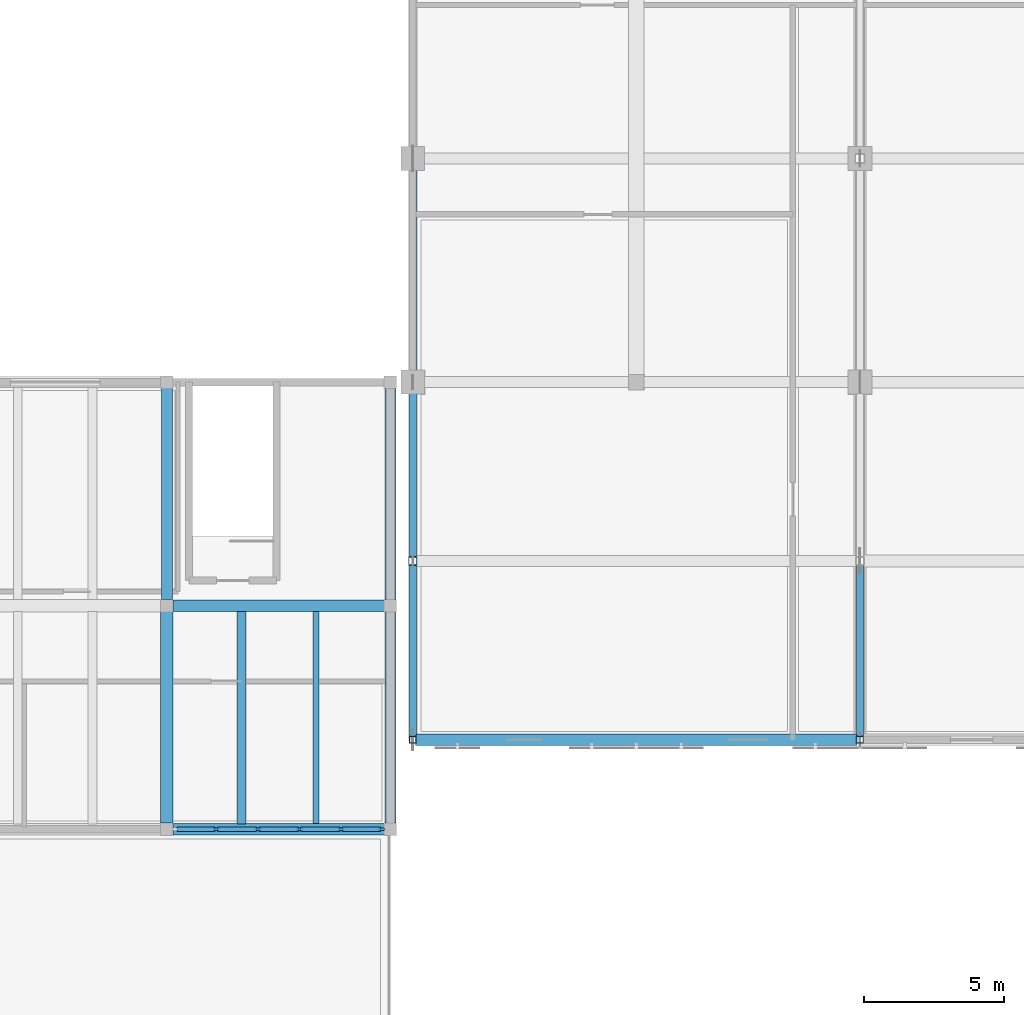
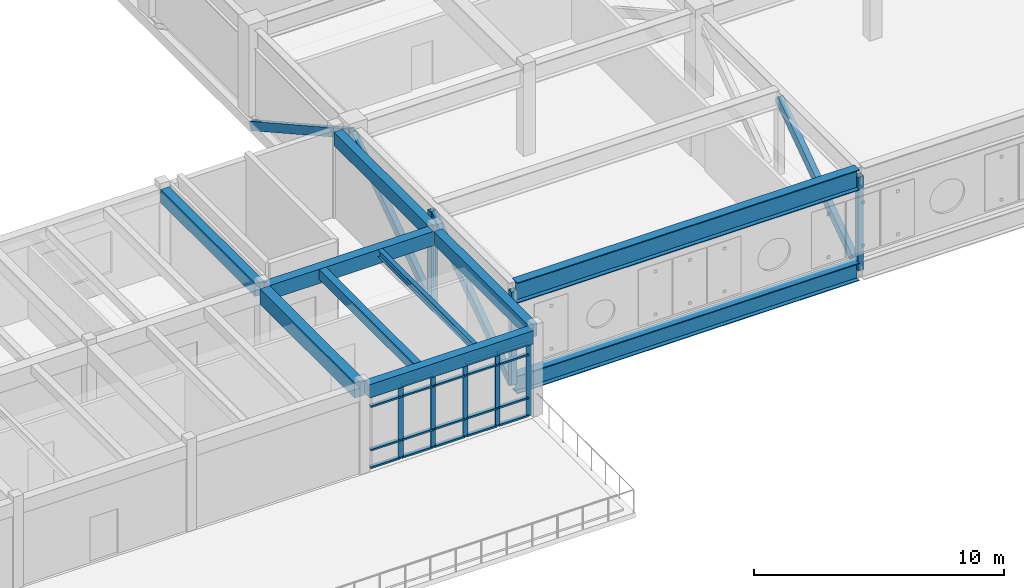
# One storey, part 5 of 79: 32 members, 10 beams, 1 element without a shape of its own.
"""IFC4 building model written with IfcOpenShell, lengths in metres."""

from ifc_helpers import new_model, si_unit, direction, frame, origin, origin_2d, place, context, subcontext, project, spatial, rectangle, hollow_rectangle, i_section, extrude, material, material_profile, profile_set, type_object, element, aggregate, save


model = new_model("IFC4")

# Units and contexts
model_context = context("Model", 3, precision=1e-05, world=origin(), true_north=direction((0.0, 1.0)))
body_context = subcontext(model_context, "Body", "Model", "MODEL_VIEW")
ifc_project = project(units=[si_unit("LENGTHUNIT", "METRE"), si_unit("AREAUNIT", "SQUARE_METRE"), si_unit("VOLUMEUNIT", "CUBIC_METRE"), si_unit("PLANEANGLEUNIT", "RADIAN"), si_unit("MASSUNIT", "GRAM", prefix="KILO")], contexts=[model_context])

# Site, building, storey
site_placement = place(None, origin())
site = spatial("IfcSite", under=ifc_project, at=site_placement, CompositionType="ELEMENT")
building_placement = place(site_placement, origin())
building = spatial("IfcBuilding", under=site, at=building_placement, Name="Tlaxcora Railside Police Headquarters", CompositionType="ELEMENT")
storey_placement = place(building_placement, frame((0.0, 0.0, 9.0)))
storey = spatial("IfcBuildingStorey", under=building, at=storey_placement, Name="L02", CompositionType="ELEMENT", Elevation=9.0)

# Curtain wall, members
ifc_material_1 = material(Name="Thermally broken low-E insulated glazing", Category="glass")
curtain_wall_type = type_object("IfcCurtainWallType", Name="Unitised Curtain Wall Assembly CW-23", PredefinedType="NOTDEFINED", material=ifc_material_1)
curtain_wall_placement = place(storey_placement, origin())
curtain_wall = element("IfcCurtainWall", 1, at=curtain_wall_placement, inside=storey, type_object=curtain_wall_type, Name="V4 L02 curtain wall 28", PredefinedType="NOTDEFINED")
ifc_material_2 = material(Name="Anodised aluminium framing", Category="aluminium")
ifc_material_profile_1 = material_profile(ifc_material_2, rectangle(XDim=0.080078125, YDim=0.219970703125, at=origin_2d()), Name="AL80X220")
ifc_profile_set_1 = profile_set([ifc_material_profile_1], Name="Anodised aluminium framing")
member_type_1 = type_object("IfcMemberType", Name="Curtain Wall Mullion CW-31", PredefinedType="MULLION", material=ifc_profile_set_1)
member_1_placement = place(storey_placement, frame((38.965087890625, 20.0, 0.0), z_axis=(0.0, 0.0, 1.0), x_axis=(0.0, 1.0, 0.0)))
member_1 = element("IfcMember", 2, at=member_1_placement, type_object=member_type_1, Name="CW mullion 2", PredefinedType="MULLION", context=body_context, shape_type="SweptSolid", body=[
    extrude(rectangle(XDim=0.080078125, YDim=0.219970703125, at=origin_2d()), origin(), (0.0, 0.0, 1.0), 3.550048828125),
])
member_2_placement = place(storey_placement, frame((40.455078125, 20.0, 0.0), z_axis=(0.0, 0.0, 1.0), x_axis=(0.0, 1.0, 0.0)))
member_2 = element("IfcMember", 3, at=member_2_placement, type_object=member_type_1, Name="CW mullion 3", PredefinedType="MULLION", context=body_context, shape_type="SweptSolid", body=[
    extrude(rectangle(XDim=0.080078125, YDim=0.219970703125, at=origin_2d()), origin(), (0.0, 0.0, 1.0), 3.550048828125),
])
member_3_placement = place(storey_placement, frame((41.945068359375, 20.0, 0.0), z_axis=(0.0, 0.0, 1.0), x_axis=(0.0, 1.0, 0.0)))
member_3 = element("IfcMember", 4, at=member_3_placement, type_object=member_type_1, Name="CW mullion 4", PredefinedType="MULLION", context=body_context, shape_type="SweptSolid", body=[
    extrude(rectangle(XDim=0.080078125, YDim=0.219970703125, at=origin_2d()), origin(), (0.0, 0.0, 1.0), 3.550048828125),
])
member_4_placement = place(storey_placement, frame((43.43505859375, 20.0, 0.0), z_axis=(0.0, 0.0, 1.0), x_axis=(0.0, 1.0, 0.0)))
member_4 = element("IfcMember", 5, at=member_4_placement, type_object=member_type_1, Name="CW mullion 5", PredefinedType="MULLION", context=body_context, shape_type="SweptSolid", body=[
    extrude(rectangle(XDim=0.080078125, YDim=0.219970703125, at=origin_2d()), origin(), (0.0, 0.0, 1.0), 3.550048828125),
])
member_5_placement = place(storey_placement, frame((44.885009765625, 20.0, 0.0), z_axis=(0.0, 0.0, 1.0), x_axis=(0.0, 1.0, 0.0)))
member_5 = element("IfcMember", 6, at=member_5_placement, type_object=member_type_1, Name="CW mullion 6", PredefinedType="MULLION", context=body_context, shape_type="SweptSolid", body=[
    extrude(rectangle(XDim=0.080078125, YDim=0.219970703125, at=origin_2d()), origin(), (0.0, 0.0, 1.0), 3.550048828125),
])
ifc_material_profile_2 = material_profile(ifc_material_2, rectangle(XDim=0.1650390625, YDim=0.080078125, at=origin_2d()), Name="AL80X165")
ifc_profile_set_2 = profile_set([ifc_material_profile_2], Name="Anodised aluminium framing")
member_type_2 = type_object("IfcMemberType", Name="Curtain Wall Transom CW-62", PredefinedType="USERDEFINED", material=ifc_profile_set_2)
member_6_placement = place(storey_placement, frame((37.554931640625, 20.0, 0.0400390625), z_axis=(1.0, 0.0, 0.0), x_axis=(0.0, 1.0, 0.0)))
member_6 = element("IfcMember", 7, at=member_6_placement, type_object=member_type_2, Name="CW transom 1.1", ObjectType="TRANSOM", PredefinedType="USERDEFINED", context=body_context, shape_type="SweptSolid", body=[
    extrude(rectangle(XDim=0.1650390625, YDim=0.080078125, at=origin_2d()), origin(), (0.0, 0.0, 1.0), 1.3701171875),
])
member_7_placement = place(storey_placement, frame((37.554931640625, 20.0, 0.89990234375), z_axis=(1.0, 0.0, 0.0), x_axis=(0.0, 1.0, 0.0)))
member_7 = element("IfcMember", 8, at=member_7_placement, type_object=member_type_2, Name="CW transom 1.2", ObjectType="TRANSOM", PredefinedType="USERDEFINED", context=body_context, shape_type="SweptSolid", body=[
    extrude(rectangle(XDim=0.1650390625, YDim=0.080078125, at=origin_2d()), origin(), (0.0, 0.0, 1.0), 1.3701171875),
])
member_8_placement = place(storey_placement, frame((37.554931640625, 20.0, 3.02001953125), z_axis=(1.0, 0.0, 0.0), x_axis=(0.0, 1.0, 0.0)))
member_8 = element("IfcMember", 9, at=member_8_placement, type_object=member_type_2, Name="CW transom 1.3", ObjectType="TRANSOM", PredefinedType="USERDEFINED", context=body_context, shape_type="SweptSolid", body=[
    extrude(rectangle(XDim=0.1650390625, YDim=0.080078125, at=origin_2d()), origin(), (0.0, 0.0, 1.0), 1.3701171875),
])
member_9_placement = place(storey_placement, frame((37.554931640625, 20.0, 3.510009765625), z_axis=(1.0, 0.0, 0.0), x_axis=(0.0, 1.0, 0.0)))
member_9 = element("IfcMember", 10, at=member_9_placement, type_object=member_type_2, Name="CW transom 1.4", ObjectType="TRANSOM", PredefinedType="USERDEFINED", context=body_context, shape_type="SweptSolid", body=[
    extrude(rectangle(XDim=0.1650390625, YDim=0.080078125, at=origin_2d()), origin(), (0.0, 0.0, 1.0), 1.3701171875),
])
member_10_placement = place(storey_placement, frame((39.0048828125, 20.0, 0.0400390625), z_axis=(1.0, 0.0, 0.0), x_axis=(0.0, 1.0, 0.0)))
member_10 = element("IfcMember", 11, at=member_10_placement, type_object=member_type_2, Name="CW transom 2.1", ObjectType="TRANSOM", PredefinedType="USERDEFINED", context=body_context, shape_type="SweptSolid", body=[
    extrude(rectangle(XDim=0.1650390625, YDim=0.080078125, at=origin_2d()), origin(), (0.0, 0.0, 1.0), 1.41015625),
])
member_11_placement = place(storey_placement, frame((39.0048828125, 20.0, 0.89990234375), z_axis=(1.0, 0.0, 0.0), x_axis=(0.0, 1.0, 0.0)))
member_11 = element("IfcMember", 12, at=member_11_placement, type_object=member_type_2, Name="CW transom 2.2", ObjectType="TRANSOM", PredefinedType="USERDEFINED", context=body_context, shape_type="SweptSolid", body=[
    extrude(rectangle(XDim=0.1650390625, YDim=0.080078125, at=origin_2d()), origin(), (0.0, 0.0, 1.0), 1.41015625),
])
member_12_placement = place(storey_placement, frame((39.0048828125, 20.0, 3.02001953125), z_axis=(1.0, 0.0, 0.0), x_axis=(0.0, 1.0, 0.0)))
member_12 = element("IfcMember", 13, at=member_12_placement, type_object=member_type_2, Name="CW transom 2.3", ObjectType="TRANSOM", PredefinedType="USERDEFINED", context=body_context, shape_type="SweptSolid", body=[
    extrude(rectangle(XDim=0.1650390625, YDim=0.080078125, at=origin_2d()), origin(), (0.0, 0.0, 1.0), 1.41015625),
])
member_13_placement = place(storey_placement, frame((39.0048828125, 20.0, 3.510009765625), z_axis=(1.0, 0.0, 0.0), x_axis=(0.0, 1.0, 0.0)))
member_13 = element("IfcMember", 14, at=member_13_placement, type_object=member_type_2, Name="CW transom 2.4", ObjectType="TRANSOM", PredefinedType="USERDEFINED", context=body_context, shape_type="SweptSolid", body=[
    extrude(rectangle(XDim=0.1650390625, YDim=0.080078125, at=origin_2d()), origin(), (0.0, 0.0, 1.0), 1.41015625),
])
member_14_placement = place(storey_placement, frame((40.4951171875, 20.0, 0.0400390625), z_axis=(1.0, 0.0, 0.0), x_axis=(0.0, 1.0, 0.0)))
member_14 = element("IfcMember", 15, at=member_14_placement, type_object=member_type_2, Name="CW transom 3.1", ObjectType="TRANSOM", PredefinedType="USERDEFINED", context=body_context, shape_type="SweptSolid", body=[
    extrude(rectangle(XDim=0.1650390625, YDim=0.080078125, at=origin_2d()), origin(), (0.0, 0.0, 1.0), 1.409912109375),
])
member_15_placement = place(storey_placement, frame((40.4951171875, 20.0, 0.89990234375), z_axis=(1.0, 0.0, 0.0), x_axis=(0.0, 1.0, 0.0)))
member_15 = element("IfcMember", 16, at=member_15_placement, type_object=member_type_2, Name="CW transom 3.2", ObjectType="TRANSOM", PredefinedType="USERDEFINED", context=body_context, shape_type="SweptSolid", body=[
    extrude(rectangle(XDim=0.1650390625, YDim=0.080078125, at=origin_2d()), origin(), (0.0, 0.0, 1.0), 1.409912109375),
])
member_16_placement = place(storey_placement, frame((40.4951171875, 20.0, 3.02001953125), z_axis=(1.0, 0.0, 0.0), x_axis=(0.0, 1.0, 0.0)))
member_16 = element("IfcMember", 17, at=member_16_placement, type_object=member_type_2, Name="CW transom 3.3", ObjectType="TRANSOM", PredefinedType="USERDEFINED", context=body_context, shape_type="SweptSolid", body=[
    extrude(rectangle(XDim=0.1650390625, YDim=0.080078125, at=origin_2d()), origin(), (0.0, 0.0, 1.0), 1.409912109375),
])
member_17_placement = place(storey_placement, frame((40.4951171875, 20.0, 3.510009765625), z_axis=(1.0, 0.0, 0.0), x_axis=(0.0, 1.0, 0.0)))
member_17 = element("IfcMember", 18, at=member_17_placement, type_object=member_type_2, Name="CW transom 3.4", ObjectType="TRANSOM", PredefinedType="USERDEFINED", context=body_context, shape_type="SweptSolid", body=[
    extrude(rectangle(XDim=0.1650390625, YDim=0.080078125, at=origin_2d()), origin(), (0.0, 0.0, 1.0), 1.409912109375),
])
member_18_placement = place(storey_placement, frame((41.985107421875, 20.0, 0.0400390625), z_axis=(1.0, 0.0, 0.0), x_axis=(0.0, 1.0, 0.0)))
member_18 = element("IfcMember", 19, at=member_18_placement, type_object=member_type_2, Name="CW transom 4.1", ObjectType="TRANSOM", PredefinedType="USERDEFINED", context=body_context, shape_type="SweptSolid", body=[
    extrude(rectangle(XDim=0.1650390625, YDim=0.080078125, at=origin_2d()), origin(), (0.0, 0.0, 1.0), 1.409912109375),
])
member_19_placement = place(storey_placement, frame((41.985107421875, 20.0, 0.89990234375), z_axis=(1.0, 0.0, 0.0), x_axis=(0.0, 1.0, 0.0)))
member_19 = element("IfcMember", 20, at=member_19_placement, type_object=member_type_2, Name="CW transom 4.2", ObjectType="TRANSOM", PredefinedType="USERDEFINED", context=body_context, shape_type="SweptSolid", body=[
    extrude(rectangle(XDim=0.1650390625, YDim=0.080078125, at=origin_2d()), origin(), (0.0, 0.0, 1.0), 1.409912109375),
])
member_20_placement = place(storey_placement, frame((41.985107421875, 20.0, 3.02001953125), z_axis=(1.0, 0.0, 0.0), x_axis=(0.0, 1.0, 0.0)))
member_20 = element("IfcMember", 21, at=member_20_placement, type_object=member_type_2, Name="CW transom 4.3", ObjectType="TRANSOM", PredefinedType="USERDEFINED", context=body_context, shape_type="SweptSolid", body=[
    extrude(rectangle(XDim=0.1650390625, YDim=0.080078125, at=origin_2d()), origin(), (0.0, 0.0, 1.0), 1.409912109375),
])
member_21_placement = place(storey_placement, frame((41.985107421875, 20.0, 3.510009765625), z_axis=(1.0, 0.0, 0.0), x_axis=(0.0, 1.0, 0.0)))
member_21 = element("IfcMember", 22, at=member_21_placement, type_object=member_type_2, Name="CW transom 4.4", ObjectType="TRANSOM", PredefinedType="USERDEFINED", context=body_context, shape_type="SweptSolid", body=[
    extrude(rectangle(XDim=0.1650390625, YDim=0.080078125, at=origin_2d()), origin(), (0.0, 0.0, 1.0), 1.409912109375),
])
member_22_placement = place(storey_placement, frame((43.47509765625, 20.0, 0.0400390625), z_axis=(1.0, 0.0, 0.0), x_axis=(0.0, 1.0, 0.0)))
member_22 = element("IfcMember", 23, at=member_22_placement, type_object=member_type_2, Name="CW transom 5.1", ObjectType="TRANSOM", PredefinedType="USERDEFINED", context=body_context, shape_type="SweptSolid", body=[
    extrude(rectangle(XDim=0.1650390625, YDim=0.080078125, at=origin_2d()), origin(), (0.0, 0.0, 1.0), 1.369873046875),
])
member_23_placement = place(storey_placement, frame((43.47509765625, 20.0, 0.89990234375), z_axis=(1.0, 0.0, 0.0), x_axis=(0.0, 1.0, 0.0)))
member_23 = element("IfcMember", 24, at=member_23_placement, type_object=member_type_2, Name="CW transom 5.2", ObjectType="TRANSOM", PredefinedType="USERDEFINED", context=body_context, shape_type="SweptSolid", body=[
    extrude(rectangle(XDim=0.1650390625, YDim=0.080078125, at=origin_2d()), origin(), (0.0, 0.0, 1.0), 1.369873046875),
])
member_24_placement = place(storey_placement, frame((43.47509765625, 20.0, 3.02001953125), z_axis=(1.0, 0.0, 0.0), x_axis=(0.0, 1.0, 0.0)))
member_24 = element("IfcMember", 25, at=member_24_placement, type_object=member_type_2, Name="CW transom 5.3", ObjectType="TRANSOM", PredefinedType="USERDEFINED", context=body_context, shape_type="SweptSolid", body=[
    extrude(rectangle(XDim=0.1650390625, YDim=0.080078125, at=origin_2d()), origin(), (0.0, 0.0, 1.0), 1.369873046875),
])
member_25_placement = place(storey_placement, frame((43.47509765625, 20.0, 3.510009765625), z_axis=(1.0, 0.0, 0.0), x_axis=(0.0, 1.0, 0.0)))
member_25 = element("IfcMember", 26, at=member_25_placement, type_object=member_type_2, Name="CW transom 5.4", ObjectType="TRANSOM", PredefinedType="USERDEFINED", context=body_context, shape_type="SweptSolid", body=[
    extrude(rectangle(XDim=0.1650390625, YDim=0.080078125, at=origin_2d()), origin(), (0.0, 0.0, 1.0), 1.369873046875),
])
aggregate(curtain_wall, [member_1, member_2, member_3, member_4, member_5, member_6, member_7, member_8, member_9, member_10, member_11, member_12, member_13, member_14, member_15, member_16, member_17, member_18, member_19, member_20, member_21, member_22, member_23, member_24, member_25])

# Members
ifc_material_3 = material(Name="Steel ASTM A992 Grade 50", Category="steel")
ifc_material_profile_3 = material_profile(ifc_material_3, hollow_rectangle(XDim=0.25, YDim=0.39990234375, WallThickness=0.011962890625, at=origin_2d()), Name="HSS400X250X12")
ifc_profile_set_3 = profile_set([ifc_material_profile_3], Name="Steel ASTM A992 Grade 50")
member_type_3 = type_object("IfcMemberType", Name="Diagonal Brace Member MB-40", PredefinedType="BRACE", material=ifc_profile_set_3)
member_26_placement = place(storey_placement, frame((46.0, 44.0, -0.77001953125), z_axis=(0.0, -0.872972176335, 0.487770006607), x_axis=(1.0, 0.0, 0.0)))
element("IfcMember", 27, at=member_26_placement, inside=storey, type_object=member_type_3, Name="Truss TR-1 L02 web diagonal 3", PredefinedType="BRACE", context=body_context, shape_type="SweptSolid", body=[
    extrude(hollow_rectangle(XDim=0.25, YDim=0.39990234375, WallThickness=0.011962890625, at=origin_2d()), origin(), (0.0, 0.0, 1.0), 9.1640625),
])
member_27_placement = place(storey_placement, frame((46.0, 36.0, 3.699951171875), z_axis=(0.0, -0.819830936688, -0.572605654224), x_axis=(1.0, 0.0, 0.0)))
element("IfcMember", 28, at=member_27_placement, inside=storey, type_object=member_type_3, Name="Truss TR-1 L02 web diagonal 4", PredefinedType="BRACE", context=body_context, shape_type="SweptSolid", body=[
    extrude(hollow_rectangle(XDim=0.25, YDim=0.39990234375, WallThickness=0.011962890625, at=origin_2d()), origin(), (0.0, 0.0, 1.0), 7.806396484375),
])
for number, where, z_axis, x_axis, name in (
    (29, (46.0, 29.60009765625, 3.699951171875), (0.0, -0.819841190505, -0.572590972991), (1.0, 0.0, 0.0), "Truss TR-1 L02 web diagonal 5"),
    (30, (62.0, 29.60009765625, 3.699951171875), (0.0, -0.819841190505, -0.572590972991), (1.0, 0.0, 0.0), "Truss TR-2 L02 web diagonal 5"),
):
    element("IfcMember", number, at=place(storey_placement, frame(where, z_axis=z_axis, x_axis=x_axis)), inside=storey, type_object=member_type_3, Name=name, PredefinedType="BRACE", context=body_context, shape_type="SweptSolid", body=[
        extrude(hollow_rectangle(XDim=0.25, YDim=0.39990234375, WallThickness=0.011962890625, at=origin_2d()), origin(), (0.0, 0.0, 1.0), 7.806640625),
    ])

# Beams
ifc_material_4 = material(Name="Concrete C40/50", Category="concrete")
ifc_material_profile_4 = material_profile(ifc_material_4, rectangle(XDim=0.39990234375, YDim=0.64990234375, at=origin_2d()), Name="RC400X650")
ifc_profile_set_4 = profile_set([ifc_material_profile_4], Name="Concrete C40/50")
beam_type_1 = type_object("IfcBeamType", Name="Perimeter Spandrel Beam BM-46", PredefinedType="SPANDREL", material=ifc_profile_set_4)
beam_1_placement = place(storey_placement, frame((37.4150390625, 20.0, 3.89501953125), z_axis=(1.0, 0.0, 0.0), x_axis=(0.0, 1.0, 0.0)))
element("IfcBeam", 31, at=beam_1_placement, inside=storey, type_object=beam_type_1, Name="V4 L02 X-girder Y=20.0", PredefinedType="SPANDREL", context=body_context, shape_type="SweptSolid", body=[
    extrude(rectangle(XDim=0.39990234375, YDim=0.64990234375, at=origin_2d()), origin(), (0.0, 0.0, 1.0), 7.570068359375),
])
for number, where, z_axis, x_axis, name in (
    (32, (45.199951171875, 20.215087890625, 3.89501953125), (0.0, 1.0, 0.0), (-1.0, 0.0, 0.0), "V4 L02 Y-girder X=45.2"),
    (33, (45.199951171875, 28.215087890625, 3.89501953125), (0.0, 1.0, 0.0), (-1.0, 0.0, 0.0), "V4 L02 Y-girder X=45.2"),
):
    element("IfcBeam", number, at=place(storey_placement, frame(where, z_axis=z_axis, x_axis=x_axis)), inside=storey, type_object=beam_type_1, Name=name, PredefinedType="SPANDREL", context=body_context, shape_type="SweptSolid", body=[
        extrude(rectangle(XDim=0.39990234375, YDim=0.64990234375, at=origin_2d()), origin(), (0.0, 0.0, 1.0), 7.56982421875),
    ])
ifc_material_profile_5 = material_profile(ifc_material_4, rectangle(XDim=0.419921875, YDim=0.699951171875, at=origin_2d()), Name="RC420X700")
ifc_profile_set_5 = profile_set([ifc_material_profile_5], Name="Concrete C40/50")
beam_type_2 = type_object("IfcBeamType", Name="Primary Frame Girder BM-35", PredefinedType="BEAM", material=ifc_profile_set_5)
beam_2_placement = place(storey_placement, frame((37.4150390625, 28.0, 3.8701171875), z_axis=(1.0, 0.0, 0.0), x_axis=(0.0, 1.0, 0.0)))
element("IfcBeam", 34, at=beam_2_placement, inside=storey, type_object=beam_type_2, Name="V4 L02 X-girder Y=28.0", PredefinedType="BEAM", context=body_context, shape_type="SweptSolid", body=[
    extrude(rectangle(XDim=0.419921875, YDim=0.699951171875, at=origin_2d()), origin(), (0.0, 0.0, 1.0), 7.570068359375),
])
ifc_material_profile_6 = material_profile(ifc_material_4, rectangle(XDim=0.39990234375, YDim=0.64990234375, at=origin_2d()), Name="RC400X650")
ifc_profile_set_6 = profile_set([ifc_material_profile_6], Name="Concrete C40/50")
beam_type_3 = type_object("IfcBeamType", Name="Primary Frame Girder BM-41", PredefinedType="BEAM", material=ifc_profile_set_6)
beam_3_placement = place(storey_placement, frame((37.199951171875, 28.215087890625, 3.89501953125), z_axis=(0.0, 1.0, 0.0), x_axis=(-1.0, 0.0, 0.0)))
element("IfcBeam", 35, at=beam_3_placement, inside=storey, type_object=beam_type_3, Name="V4 L02 Y-girder X=37.2", PredefinedType="BEAM", context=body_context, shape_type="SweptSolid", body=[
    extrude(rectangle(XDim=0.39990234375, YDim=0.64990234375, at=origin_2d()), origin(), (0.0, 0.0, 1.0), 7.56982421875),
])
ifc_material_profile_7 = material_profile(ifc_material_3, i_section(OverallWidth=0.403076171875, OverallDepth=0.868896484375, WebThickness=0.02099609375, FlangeThickness=0.03564453125, at=origin_2d()), Name="W33X241")
ifc_profile_set_7 = profile_set([ifc_material_profile_7], Name="Steel ASTM A992 Grade 50")
beam_type_4 = type_object("IfcBeamType", Name="Primary Frame Girder BM-45", PredefinedType="BEAM", material=ifc_profile_set_7)
beam_4_placement = place(storey_placement, frame((46.10009765625, 23.199951171875, -0.77001953125), z_axis=(1.0, 0.0, 0.0), x_axis=(0.0, 1.0, 0.0)))
element("IfcBeam", 36, at=beam_4_placement, inside=storey, type_object=beam_type_4, Name="V2 L02 cantilever transverse girder Y=23.2", PredefinedType="BEAM", context=body_context, shape_type="SweptSolid", body=[
    extrude(i_section(OverallWidth=0.403076171875, OverallDepth=0.868896484375, WebThickness=0.02099609375, FlangeThickness=0.03564453125, at=origin_2d()), origin(), (0.0, 0.0, 1.0), 15.7998046875),
])
ifc_material_profile_8 = material_profile(ifc_material_3, i_section(OverallWidth=0.402099609375, OverallDepth=1.008056640625, WebThickness=0.02099609375, FlangeThickness=0.0400390625, at=origin_2d()), Name="W40X277")
ifc_profile_set_8 = profile_set([ifc_material_profile_8], Name="Steel ASTM A992 Grade 50")
beam_type_5 = type_object("IfcBeamType", Name="Primary Frame Girder BM-59", PredefinedType="BEAM", material=ifc_profile_set_8)
beam_5_placement = place(storey_placement, frame((46.10009765625, 23.199951171875, 3.716064453125), z_axis=(1.0, 0.0, 0.0), x_axis=(0.0, 1.0, 0.0)))
element("IfcBeam", 37, at=beam_5_placement, inside=storey, type_object=beam_type_5, Name="V2 L03 transverse girder Y=23.2", PredefinedType="BEAM", context=body_context, shape_type="SweptSolid", body=[
    extrude(i_section(OverallWidth=0.402099609375, OverallDepth=1.008056640625, WebThickness=0.02099609375, FlangeThickness=0.0400390625, at=origin_2d()), origin(), (0.0, 0.0, 1.0), 15.7998046875),
])
ifc_material_profile_9 = material_profile(ifc_material_4, rectangle(XDim=0.449951171875, YDim=0.75, at=origin_2d()), Name="RC450X750")
ifc_profile_set_9 = profile_set([ifc_material_profile_9], Name="Concrete C40/50")
beam_type_6 = type_object("IfcBeamType", Name="Primary Frame Girder BM-73", PredefinedType="BEAM", material=ifc_profile_set_9)
beam_6_placement = place(storey_placement, frame((37.199951171875, 20.215087890625, 3.844970703125), z_axis=(0.0, 1.0, 0.0), x_axis=(-1.0, 0.0, 0.0)))
element("IfcBeam", 38, at=beam_6_placement, inside=storey, type_object=beam_type_6, Name="V4 L02 Y-girder X=37.2", PredefinedType="BEAM", context=body_context, shape_type="SweptSolid", body=[
    extrude(rectangle(XDim=0.449951171875, YDim=0.75, at=origin_2d()), origin(), (0.0, 0.0, 1.0), 7.56982421875),
])
ifc_material_profile_10 = material_profile(ifc_material_3, i_section(OverallWidth=0.2041015625, OverallDepth=0.35009765625, WebThickness=0.008544921875, FlangeThickness=0.01513671875, at=origin_2d()), Name="W14X48")
ifc_profile_set_10 = profile_set([ifc_material_profile_10], Name="Steel ASTM A992 Grade 50")
beam_type_7 = type_object("IfcBeamType", Name="Secondary Floor Joist BM-65", PredefinedType="JOIST", material=ifc_profile_set_10)
beam_7_placement = place(storey_placement, frame((42.533203125, 20.19189453125, 4.044921875), z_axis=(0.0, 1.0, 0.0), x_axis=(-1.0, 0.0, 0.0)))
element("IfcBeam", 39, at=beam_7_placement, inside=storey, type_object=beam_type_7, Name="V4 L02 floor joist X=42.53", PredefinedType="JOIST", context=body_context, shape_type="SweptSolid", body=[
    extrude(i_section(OverallWidth=0.2041015625, OverallDepth=0.35009765625, WebThickness=0.008544921875, FlangeThickness=0.01513671875, at=origin_2d()), origin(), (0.0, 0.0, 1.0), 7.606201171875),
])
ifc_material_5 = material(Name="Concrete C35/45", Category="concrete")
ifc_material_profile_11 = material_profile(ifc_material_5, rectangle(XDim=0.320068359375, YDim=0.5, at=origin_2d()), Name="RC320X500")
ifc_profile_set_11 = profile_set([ifc_material_profile_11], Name="Concrete C35/45")
beam_type_8 = type_object("IfcBeamType", Name="Secondary Floor Joist BM-88", PredefinedType="JOIST", material=ifc_profile_set_11)
beam_8_placement = place(storey_placement, frame((39.86669921875, 20.19189453125, 3.969970703125), z_axis=(0.0, 1.0, 0.0), x_axis=(-1.0, 0.0, 0.0)))
element("IfcBeam", 40, at=beam_8_placement, inside=storey, type_object=beam_type_8, Name="V4 L02 floor joist X=39.87", PredefinedType="JOIST", context=body_context, shape_type="SweptSolid", body=[
    extrude(rectangle(XDim=0.320068359375, YDim=0.5, at=origin_2d()), origin(), (0.0, 0.0, 1.0), 7.606201171875),
])

# Members
ifc_material_profile_12 = material_profile(ifc_material_3, hollow_rectangle(XDim=0.25, YDim=0.25, WallThickness=0.011962890625, at=origin_2d()), Name="HSS250X250X12")
ifc_profile_set_12 = profile_set([ifc_material_profile_12], Name="Steel ASTM A992 Grade 50")
member_type_4 = type_object("IfcMemberType", Name="Truss Vertical Post MB-22", PredefinedType="POST", material=ifc_profile_set_12)
for number, where, z_axis, x_axis, name in (
    (41, (46.0, 23.199951171875, -0.77001953125), (0.0, 0.0, 1.0), (1.0, 0.0, 0.0), "Truss TR-1 L02 post Y=23.2"),
    (42, (62.0, 23.199951171875, -0.77001953125), (0.0, 0.0, 1.0), (1.0, 0.0, 0.0), "Truss TR-2 L02 post Y=23.2"),
):
    element("IfcMember", number, at=place(storey_placement, frame(where, z_axis=z_axis, x_axis=x_axis)), inside=storey, type_object=member_type_4, Name=name, PredefinedType="POST", context=body_context, shape_type="SweptSolid", body=[
        extrude(hollow_rectangle(XDim=0.25, YDim=0.25, WallThickness=0.011962890625, at=origin_2d()), origin(), (0.0, 0.0, 1.0), 4.570068359375),
    ])
ifc_material_profile_13 = material_profile(ifc_material_3, hollow_rectangle(XDim=0.300048828125, YDim=0.300048828125, WallThickness=0.011962890625, at=origin_2d()), Name="HSS300X300X12")
ifc_profile_set_13 = profile_set([ifc_material_profile_13], Name="Steel ASTM A992 Grade 50")
member_type_5 = type_object("IfcMemberType", Name="Truss Vertical Post MB-44", PredefinedType="POST", material=ifc_profile_set_13)
member_28_placement = place(storey_placement, frame((46.0, 29.60009765625, -0.77001953125), z_axis=(0.0, 0.0, 1.0), x_axis=(1.0, 0.0, 0.0)))
element("IfcMember", 43, at=member_28_placement, inside=storey, type_object=member_type_5, Name="Truss TR-1 L02 post Y=29.6", PredefinedType="POST", context=body_context, shape_type="SweptSolid", body=[
    extrude(hollow_rectangle(XDim=0.300048828125, YDim=0.300048828125, WallThickness=0.011962890625, at=origin_2d()), origin(), (0.0, 0.0, 1.0), 4.570068359375),
])

save(model, "model.ifc")
